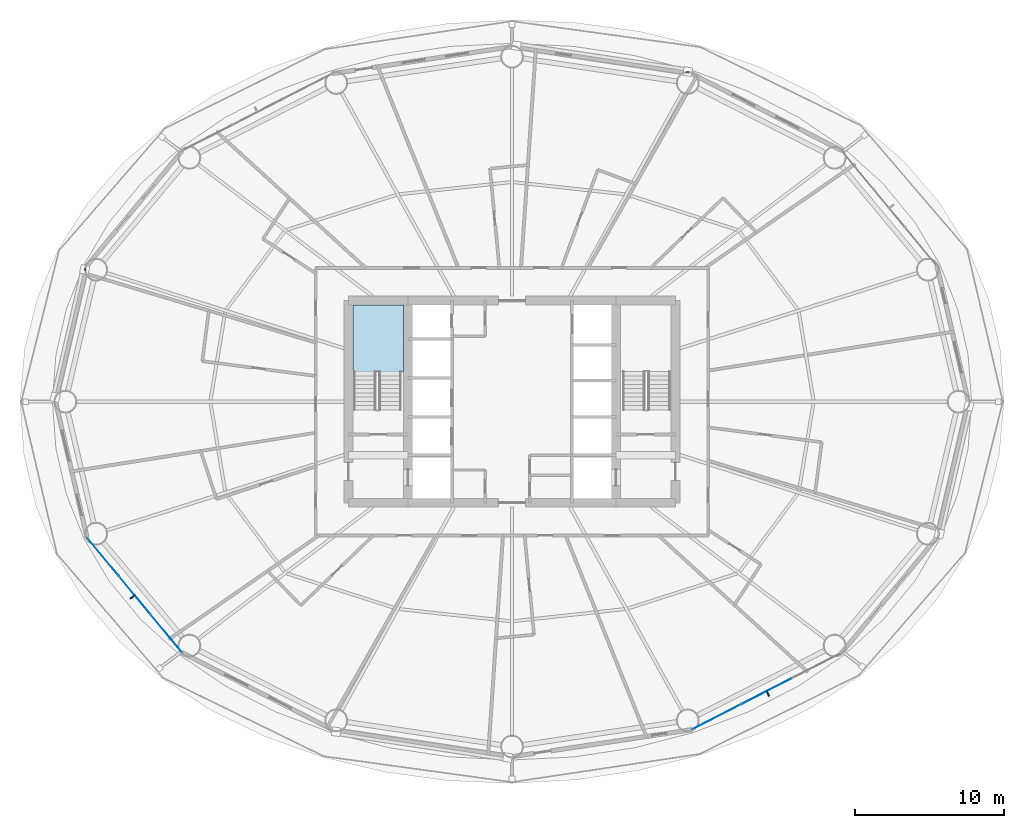
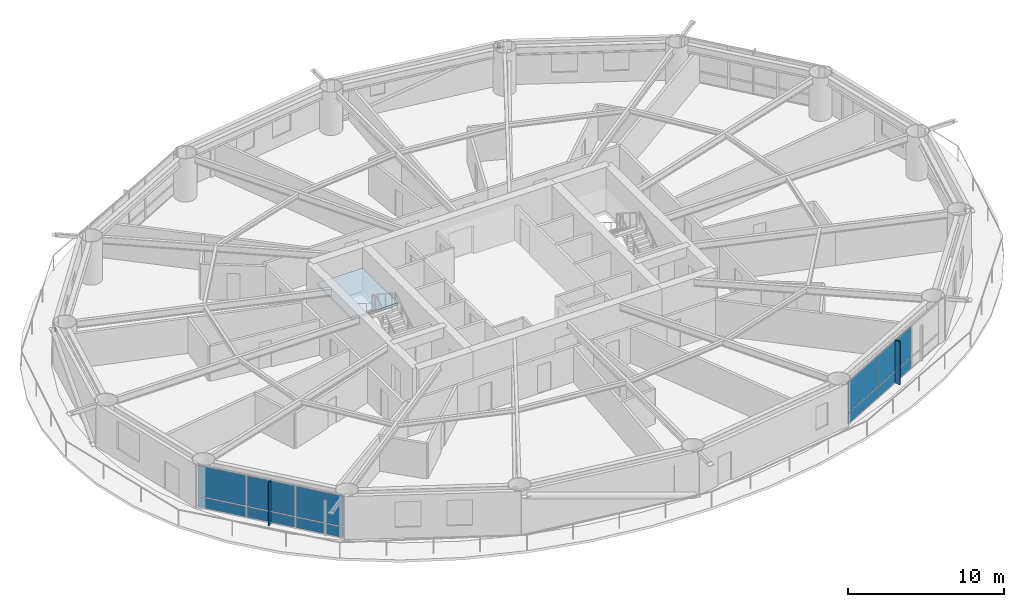
# One storey, part 16 of 26: 12 plates, 2 members, 1 slab, 3 elements without a shape of their own.
"""IFC4 building model written with IfcOpenShell, lengths in metres."""

from ifc_helpers import new_model, si_unit, direction, frame, origin, origin_2d, place, context, subcontext, project, spatial, polyline, rectangle, hollow_rectangle, outline, extrude, material, layer, layer_set, material_profile, profile_set, type_object, element, aggregate, save


model = new_model("IFC4")

# Units and contexts
model_context = context("Model", 3, precision=1e-05, world=origin(), true_north=direction((0.0, 1.0)))
body_context = subcontext(model_context, "Body", "Model", "MODEL_VIEW")
ifc_project = project(units=[si_unit("LENGTHUNIT", "METRE"), si_unit("AREAUNIT", "SQUARE_METRE"), si_unit("VOLUMEUNIT", "CUBIC_METRE"), si_unit("PLANEANGLEUNIT", "RADIAN"), si_unit("MASSUNIT", "GRAM", prefix="KILO")], contexts=[model_context])

# Site, building, storey
site_placement = place(None, origin())
site = spatial("IfcSite", under=ifc_project, at=site_placement, CompositionType="ELEMENT")
building_placement = place(site_placement, origin())
building = spatial("IfcBuilding", under=site, at=building_placement, Name="Sarneth Arch Tower", CompositionType="ELEMENT")
storey_placement = place(building_placement, frame((0.0, 0.0, 64.199951171875)))
storey = spatial("IfcBuildingStorey", under=building, at=storey_placement, Name="L15", CompositionType="ELEMENT", Elevation=64.199951171875)

# Members
ifc_material_1 = material(Name="Steel S355", Category="steel")
ifc_material_profile = material_profile(ifc_material_1, hollow_rectangle(XDim=0.199951171875, YDim=0.300048828125, WallThickness=0.012451171875, InnerFilletRadius=0.018798828125, OuterFilletRadius=0.03125, at=origin_2d()), Name="RHS300x200x12.5")
ifc_profile_set = profile_set([ifc_material_profile], Name="Steel S355")
member_type = type_object("IfcMemberType", Name="MEM-CANT-STRUT", PredefinedType="STRUT", material=ifc_profile_set)
member_1_placement = place(storey_placement, frame((59.8193359375, 64.109130859375, 3.0068359375), z_axis=(0.002710017149, 0.999996327897, 0.0), x_axis=(-0.999996327897, 0.002710017149, 0.0)))
element("IfcMember", 1, at=member_1_placement, inside=storey, type_object=member_type, Name="L15 Exoskeleton brace node strut 04B", PredefinedType="STRUT", context=body_context, shape_type="SweptSolid", body=[
    extrude(hollow_rectangle(XDim=0.199951171875, YDim=0.300048828125, WallThickness=0.012451171875, InnerFilletRadius=0.018798828125, OuterFilletRadius=0.03125, at=origin_2d()), origin(), (0.0, 0.0, 1.0), 0.090087890625),
])
member_2_placement = place(storey_placement, frame((19.359619140625, 50.8837890625, 3.0068359375), z_axis=(-0.999972430314, 0.007425537849, 0.0), x_axis=(-0.007425537849, -0.999972430314, 0.0)))
element("IfcMember", 2, at=member_2_placement, inside=storey, type_object=member_type, Name="L15 Exoskeleton brace node strut 08B", PredefinedType="STRUT", context=body_context, shape_type="SweptSolid", body=[
    extrude(hollow_rectangle(XDim=0.199951171875, YDim=0.300048828125, WallThickness=0.012451171875, InnerFilletRadius=0.018798828125, OuterFilletRadius=0.03125, at=origin_2d()), origin(), (0.0, 0.0, 1.0), 0.0986328125),
])

# Curtain wall, plates
ifc_material_2 = material(Name="Anodised aluminium Type AA25 and solar-control low-e laminated IGU", Category="aluminium")
ifc_layer_1 = layer(ifc_material_2, 0.159912109375)
ifc_layer_set_1 = layer_set([ifc_layer_1], Name="Anodised aluminium Type AA25 and solar-control low-e laminated IGU")
curtain_wall_type = type_object("IfcCurtainWallType", Name="CW-HOTEL-LOW", PredefinedType="NOTDEFINED", material=ifc_layer_set_1)
curtain_wall_1_placement = place(storey_placement, origin())
curtain_wall_1 = element("IfcCurtainWall", 3, at=curtain_wall_1_placement, inside=storey, type_object=curtain_wall_type, Name="L15 Unitised curtain wall facet 10", PredefinedType="NOTDEFINED")
ifc_material_3 = material(Name="Solar-control low-e laminated IGU", Category="glass")
ifc_layer_2 = layer(ifc_material_3, 0.028076171875)
ifc_layer_set_2 = layer_set([ifc_layer_2], Name="Solar-control low-e laminated IGU")
plate_type_1 = type_object("IfcPlateType", Name="CW-PANEL", PredefinedType="CURTAIN_PANEL", material=ifc_layer_set_2)
plate_1_placement = place(storey_placement, frame((20.496337890625, 31.558837890625, 0.06005859375), z_axis=(0.0, 0.0, 1.0), x_axis=(0.637291340827, -0.770622960278, 0.0)))
plate_1 = element("IfcPlate", 4, at=plate_1_placement, type_object=plate_type_1, Name="Curtain wall glazed vision pane CW-L15-F10/P00-00", PredefinedType="CURTAIN_PANEL", context=body_context, shape_type="SweptSolid", body=[
    extrude(rectangle(XDim=3.260986328125, YDim=0.028076171875, at=origin_2d()), origin(), (0.0, 0.0, 1.0), 0.81005859375),
])
plate_2_placement = place(storey_placement, frame((20.496337890625, 31.558837890625, 0.93017578125), z_axis=(0.0, 0.0, 1.0), x_axis=(0.637291340827, -0.770622960278, 0.0)))
plate_2 = element("IfcPlate", 5, at=plate_2_placement, type_object=plate_type_1, Name="Curtain wall glazed vision pane CW-L15-F10/P00-01", PredefinedType="CURTAIN_PANEL", context=body_context, shape_type="SweptSolid", body=[
    extrude(rectangle(XDim=3.260986328125, YDim=0.028076171875, at=origin_2d()), origin(), (0.0, 0.0, 1.0), 2.389892578125),
])
plate_3_placement = place(storey_placement, frame((22.62255859375, 28.98779296875, 0.06005859375), z_axis=(0.0, 0.0, 1.0), x_axis=(0.637291340827, -0.770622960278, 0.0)))
plate_3 = element("IfcPlate", 6, at=plate_3_placement, type_object=plate_type_1, Name="Curtain wall glazed vision pane CW-L15-F10/P01-00", PredefinedType="CURTAIN_PANEL", context=body_context, shape_type="SweptSolid", body=[
    extrude(rectangle(XDim=3.291015625, YDim=0.028076171875, at=origin_2d()), origin(), (0.0, 0.0, 1.0), 0.81005859375),
])
plate_4_placement = place(storey_placement, frame((22.62255859375, 28.98779296875, 0.93017578125), z_axis=(0.0, 0.0, 1.0), x_axis=(0.637291340827, -0.770622960278, 0.0)))
plate_4 = element("IfcPlate", 7, at=plate_4_placement, type_object=plate_type_1, Name="Curtain wall glazed vision pane CW-L15-F10/P01-01", PredefinedType="CURTAIN_PANEL", context=body_context, shape_type="SweptSolid", body=[
    extrude(rectangle(XDim=3.291015625, YDim=0.028076171875, at=origin_2d()), origin(), (0.0, 0.0, 1.0), 2.389892578125),
])
plate_5_placement = place(storey_placement, frame((24.74853515625, 26.4169921875, 0.06005859375), z_axis=(0.0, 0.0, 1.0), x_axis=(0.637291340827, -0.770622960278, 0.0)))
plate_5 = element("IfcPlate", 8, at=plate_5_placement, type_object=plate_type_1, Name="Curtain wall glazed vision pane CW-L15-F10/P02-00", PredefinedType="CURTAIN_PANEL", context=body_context, shape_type="SweptSolid", body=[
    extrude(rectangle(XDim=3.260986328125, YDim=0.028076171875, at=origin_2d()), origin(), (0.0, 0.0, 1.0), 0.81005859375),
])
plate_6_placement = place(storey_placement, frame((24.74853515625, 26.4169921875, 0.93017578125), z_axis=(0.0, 0.0, 1.0), x_axis=(0.637291340827, -0.770622960278, 0.0)))
plate_6 = element("IfcPlate", 9, at=plate_6_placement, type_object=plate_type_1, Name="Curtain wall glazed vision pane CW-L15-F10/P02-01", PredefinedType="CURTAIN_PANEL", context=body_context, shape_type="SweptSolid", body=[
    extrude(rectangle(XDim=3.260986328125, YDim=0.028076171875, at=origin_2d()), origin(), (0.0, 0.0, 1.0), 2.389892578125),
])
aggregate(curtain_wall_1, [plate_1, plate_2, plate_3, plate_4, plate_5, plate_6])

curtain_wall_2_placement = place(storey_placement, origin())
curtain_wall_2 = element("IfcCurtainWall", 10, at=curtain_wall_2_placement, inside=storey, type_object=curtain_wall_type, Name="L15 Unitised curtain wall facet 14", PredefinedType="NOTDEFINED")
plate_7_placement = place(storey_placement, frame((61.77392578125, 20.807373046875, 0.06005859375), z_axis=(0.0, 0.0, 1.0), x_axis=(0.889854100456, 0.456245197127, 0.0)))
plate_7 = element("IfcPlate", 11, at=plate_7_placement, type_object=plate_type_1, Name="Curtain wall glazed vision pane CW-L15-F14/P00-00", PredefinedType="CURTAIN_PANEL", context=body_context, shape_type="SweptSolid", body=[
    extrude(rectangle(XDim=3.69189453125, YDim=0.028076171875, at=origin_2d()), origin(), (0.0, 0.0, 1.0), 0.81005859375),
])
plate_8_placement = place(storey_placement, frame((61.77392578125, 20.807373046875, 0.93017578125), z_axis=(0.0, 0.0, 1.0), x_axis=(0.889854100456, 0.456245197127, 0.0)))
plate_8 = element("IfcPlate", 12, at=plate_8_placement, type_object=plate_type_1, Name="Curtain wall glazed vision pane CW-L15-F14/P00-01", PredefinedType="CURTAIN_PANEL", context=body_context, shape_type="SweptSolid", body=[
    extrude(rectangle(XDim=3.69189453125, YDim=0.028076171875, at=origin_2d()), origin(), (0.0, 0.0, 1.0), 2.389892578125),
])
plate_9_placement = place(storey_placement, frame((65.1259765625, 22.526123046875, 0.06005859375), z_axis=(0.0, 0.0, 1.0), x_axis=(0.889854100456, 0.456245197127, 0.0)))
plate_9 = element("IfcPlate", 13, at=plate_9_placement, type_object=plate_type_1, Name="Curtain wall glazed vision pane CW-L15-F14/P01-00", PredefinedType="CURTAIN_PANEL", context=body_context, shape_type="SweptSolid", body=[
    extrude(rectangle(XDim=3.721923828125, YDim=0.028076171875, at=origin_2d()), origin(), (0.0, 0.0, 1.0), 0.81005859375),
])
plate_10_placement = place(storey_placement, frame((65.1259765625, 22.526123046875, 0.93017578125), z_axis=(0.0, 0.0, 1.0), x_axis=(0.889854100456, 0.456245197127, 0.0)))
plate_10 = element("IfcPlate", 14, at=plate_10_placement, type_object=plate_type_1, Name="Curtain wall glazed vision pane CW-L15-F14/P01-01", PredefinedType="CURTAIN_PANEL", context=body_context, shape_type="SweptSolid", body=[
    extrude(rectangle(XDim=3.721923828125, YDim=0.028076171875, at=origin_2d()), origin(), (0.0, 0.0, 1.0), 2.389892578125),
])
aggregate(curtain_wall_2, [plate_7, plate_8, plate_9, plate_10])

# Plates
ifc_material_4 = material(Name="Extruded glazed terracotta baguette fin on Aluminium 6063-T6 carrier", Category="masonry")
ifc_layer_3 = layer(ifc_material_4, 0.080078125)
ifc_layer_set_3 = layer_set([ifc_layer_3], Name="Extruded glazed terracotta baguette fin on Aluminium 6063-T6 carrier")
plate_type_2 = type_object("IfcPlateType", Name="SHADE-TERRA-FIN", PredefinedType="SHEET", material=ifc_layer_set_3)
for number, where, z_axis, x_axis, name in (
    (15, (22.491455078125, 28.879638671875, 0.009765625), (0.0, 0.0, 1.0), (-0.770624482513, -0.637289500111, 0.0), "L15 Terracotta vertical shading fin 10"),
    (16, (65.20361328125, 22.374755859375, 0.009765625), (0.0, 0.0, 1.0), (0.4563215909, -0.889814927768, 0.0), "L15 Terracotta vertical shading fin 14"),
):
    element("IfcPlate", number, at=place(storey_placement, frame(where, z_axis=z_axis, x_axis=x_axis)), inside=storey, type_object=plate_type_2, Name=name, PredefinedType="SHEET", context=body_context, shape_type="SweptSolid", body=[
        extrude(rectangle(XDim=0.419921875, YDim=0.080078125, at=origin_2d()), origin(), (0.0, 0.0, 1.0), 3.360107421875),
    ])

# Stair, slab
ifc_material_5 = material(Name="Concrete C50/60", Category="concrete")
stair_type = type_object("IfcStairType", Name="STAIR-CORE-RC", PredefinedType="HALF_TURN_STAIR", material=ifc_material_5)
stair_placement = place(storey_placement, origin())
stair = element("IfcStair", 17, at=stair_placement, inside=storey, type_object=stair_type, Name="L15 Core Exit Stair 1", PredefinedType="HALF_TURN_STAIR")
ifc_material_6 = material(Name="Concrete C50/60", Category="concrete")
ifc_layer_4 = layer(ifc_material_6, 0.199951171875)
ifc_layer_set_4 = layer_set([ifc_layer_4], Name="Concrete C50/60")
slab_type = type_object("IfcSlabType", Name="SLAB-LANDING-200", PredefinedType="LANDING", material=ifc_layer_set_4)
slab_placement = place(storey_placement, frame((0.0, 0.0, 1.60009765625)))
slab = element("IfcSlab", 18, at=slab_placement, type_object=slab_type, Name="ST-1 landing 1", PredefinedType="LANDING", context=body_context, shape_type="SweptSolid", body=[
    extrude(outline(polyline([(37.300048828125, 43.985107421875), (40.699951171875, 43.985107421875), (40.699951171875, 48.5), (37.300048828125, 48.5), (37.300048828125, 43.985107421875)])), origin(), (0.0, 0.0, 1.0), 0.199951171875),
])
aggregate(stair, [slab])

save(model, "model.ifc")
